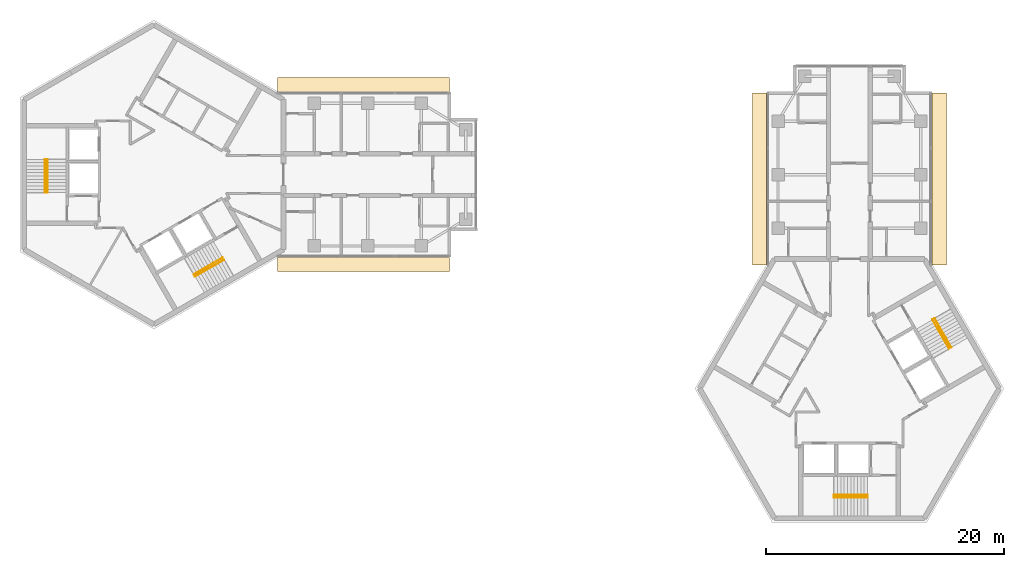
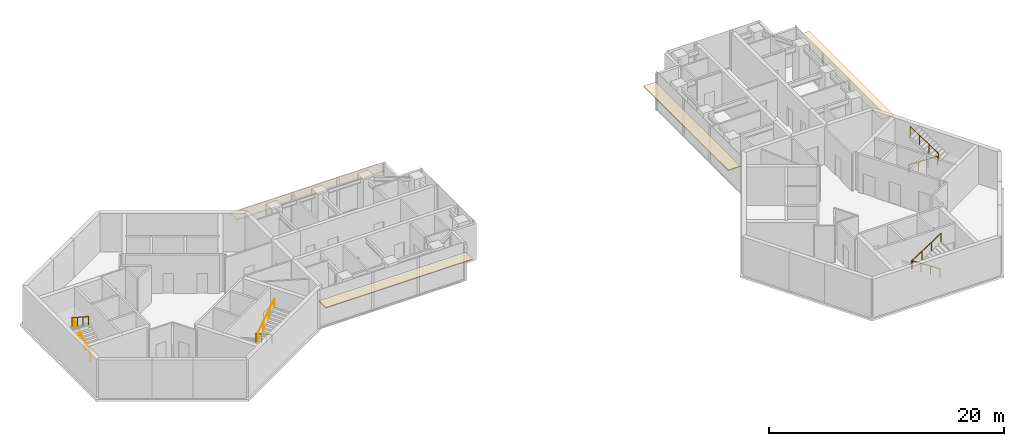
# One storey, part 11 of 11: 8 railings, 4 coverings.
"""IFC4 building model written with IfcOpenShell, lengths in metres."""

from ifc_helpers import new_model, si_unit, direction, frame, origin, origin_2d, place, context, subcontext, project, spatial, rectangle, circle, extrude, material, layer, layer_set, type_object, element, save


model = new_model("IFC4")

# Units and contexts
model_context = context("Model", 3, precision=1e-05, world=origin(), true_north=direction((0.0, 1.0)))
body_context = subcontext(model_context, "Body", "Model", "MODEL_VIEW")
ifc_project = project(units=[si_unit("LENGTHUNIT", "METRE"), si_unit("AREAUNIT", "SQUARE_METRE"), si_unit("VOLUMEUNIT", "CUBIC_METRE"), si_unit("PLANEANGLEUNIT", "RADIAN"), si_unit("MASSUNIT", "GRAM", prefix="KILO")], contexts=[model_context])

# Site, building, storey
site_placement = place(None, origin())
site = spatial("IfcSite", under=ifc_project, at=site_placement, CompositionType="ELEMENT")
building_placement = place(site_placement, origin())
building = spatial("IfcBuilding", under=site, at=building_placement, Name="Upepo Twin Towers", CompositionType="ELEMENT")
storey_placement = place(building_placement, frame((0.0, 0.0, 255.5)))
storey = spatial("IfcBuildingStorey", under=building, at=storey_placement, Name="L62", CompositionType="ELEMENT", Elevation=255.5)

# Coverings
ifc_material_1 = material(Name="Anodised aluminium, pale silver", Category="aluminium")
ifc_layer = layer(ifc_material_1, 0.080078125)
ifc_layer_set = layer_set([ifc_layer], Name="Brise-soleil blade 1200 pale aluminium")
covering_type = type_object("IfcCoveringType", Name="Brise-soleil blade 1200 pale aluminium", PredefinedType="USERDEFINED", material=ifc_layer_set)
for number, where, z_axis, x_axis, name in (
    (1, (17.61865234375, 7.56494140625, 2.909912109375), (0.0, 0.0, 1.0), (1.0, 0.0, 0.0), "T1 L62 wing A brise-soleil L"),
    (2, (17.61865234375, -7.56494140625, 2.909912109375), (0.0, 0.0, 1.0), (1.0, 0.0, 0.0), "T1 L62 wing A brise-soleil R"),
    (3, (50.93505859375, -0.38134765625, 2.909912109375), (0.0, 0.0, 1.0), (0.0, 1.0, 0.0), "T2 L62 wing A brise-soleil L"),
    (4, (66.06494140625, -0.38134765625, 2.909912109375), (0.0, 0.0, 1.0), (0.0, 1.0, 0.0), "T2 L62 wing A brise-soleil R"),
):
    element("IfcCovering", number, at=place(storey_placement, frame(where, z_axis=z_axis, x_axis=x_axis)), inside=storey, type_object=covering_type, Name=name, ObjectType="SUNSHADE", PredefinedType="USERDEFINED", context=body_context, shape_type="SweptSolid", body=[
        extrude(rectangle(XDim=14.462890625, YDim=1.199951171875, at=origin_2d()), origin(), (0.0, 0.0, 1.0), 0.080078125),
    ])

# Railings
ifc_material_2 = material(Name="Stainless steel", Category="steel")
railing_type = type_object("IfcRailingType", Name="Stair handrail 900", PredefinedType="HANDRAIL", material=ifc_material_2)
railing_1_placement = place(storey_placement, frame((-8.949951171875, -1.52001953125, 0.181884765625)))
element("IfcRailing", 5, at=railing_1_placement, inside=storey, type_object=railing_type, Name="T1 stair S1 L62 handrail 1", PredefinedType="HANDRAIL", context=body_context, shape_type="SweptSolid", body=[
    extrude(circle(Radius=0.02392578125, at=origin_2d()), frame((0.0, 0.0, 0.8759765625), z_axis=(0.0, 0.838705829183, 0.544584733623), x_axis=(-1.0, 0.0, 0.0)), (0.0, 0.0, 1.0), 3.338623046875),
    extrude(circle(Radius=0.02099609375, at=origin_2d()), origin(), (0.0, 0.0, 1.0), 0.851806640625),
    extrude(circle(Radius=0.02099609375, at=origin_2d()), frame((0.0, 0.933349609375, 0.60595703125)), (0.0, 0.0, 1.0), 0.851806640625),
    extrude(circle(Radius=0.02099609375, at=origin_2d()), frame((0.0, 1.86669921875, 1.212158203125)), (0.0, 0.0, 1.0), 0.851806640625),
    extrude(circle(Radius=0.02099609375, at=origin_2d()), frame((0.0, 2.800048828125, 1.818115234375)), (0.0, 0.0, 1.0), 0.851806640625),
])
railing_2_placement = place(storey_placement, frame((-9.158447265625, 1.280029296875, 2.181884765625)))
element("IfcRailing", 6, at=railing_2_placement, inside=storey, type_object=railing_type, Name="T1 stair S1 L62 handrail 2", PredefinedType="HANDRAIL", context=body_context, shape_type="SweptSolid", body=[
    extrude(circle(Radius=0.02392578125, at=origin_2d()), frame((0.0, 0.0, 0.8759765625), z_axis=(0.0, -0.838705829183, 0.544584733623), x_axis=(1.0, 0.0, 0.0)), (0.0, 0.0, 1.0), 3.338623046875),
    extrude(circle(Radius=0.02099609375, at=origin_2d()), origin(), (0.0, 0.0, 1.0), 0.851806640625),
    extrude(circle(Radius=0.02099609375, at=origin_2d()), frame((0.0, -0.933349609375, 0.60595703125)), (0.0, 0.0, 1.0), 0.851806640625),
    extrude(circle(Radius=0.02099609375, at=origin_2d()), frame((0.0, -1.86669921875, 1.212158203125)), (0.0, 0.0, 1.0), 0.851806640625),
    extrude(circle(Radius=0.02099609375, at=origin_2d()), frame((0.0, -2.800048828125, 1.818115234375)), (0.0, 0.0, 1.0), 0.851806640625),
])
railing_3_placement = place(storey_placement, frame((5.791259765625, -6.990966796875, 0.181884765625)))
element("IfcRailing", 7, at=railing_3_placement, inside=storey, type_object=railing_type, Name="T1 stair S2 L62 handrail 1", PredefinedType="HANDRAIL", context=body_context, shape_type="SweptSolid", body=[
    extrude(circle(Radius=0.02392578125, at=origin_2d()), frame((0.0, 0.0, 0.8759765625), z_axis=(-0.726336304947, -0.419332699614, 0.544605966869), x_axis=(0.49998411664, -0.866034573852, 0.0)), (0.0, 0.0, 1.0), 3.33837890625),
    extrude(circle(Radius=0.02099609375, at=origin_2d()), origin(), (0.0, 0.0, 1.0), 0.851806640625),
    extrude(circle(Radius=0.02099609375, at=origin_2d()), frame((-0.808349609375, -0.466552734375, 0.60595703125)), (0.0, 0.0, 1.0), 0.851806640625),
    extrude(circle(Radius=0.02099609375, at=origin_2d()), frame((-1.616455078125, -0.933349609375, 1.212158203125)), (0.0, 0.0, 1.0), 0.851806640625),
    extrude(circle(Radius=0.02099609375, at=origin_2d()), frame((-2.4248046875, -1.39990234375, 1.818115234375)), (0.0, 0.0, 1.0), 0.851806640625),
])
railing_4_placement = place(storey_placement, frame((3.470703125, -8.5712890625, 2.181884765625)))
element("IfcRailing", 8, at=railing_4_placement, inside=storey, type_object=railing_type, Name="T1 stair S2 L62 handrail 2", PredefinedType="HANDRAIL", context=body_context, shape_type="SweptSolid", body=[
    extrude(circle(Radius=0.02392578125, at=origin_2d()), frame((0.0, 0.0, 0.8759765625), z_axis=(0.726336304947, 0.419332699614, 0.544605966869), x_axis=(-0.49998411664, 0.866034573852, 0.0)), (0.0, 0.0, 1.0), 3.33837890625),
    extrude(circle(Radius=0.02099609375, at=origin_2d()), origin(), (0.0, 0.0, 1.0), 0.851806640625),
    extrude(circle(Radius=0.02099609375, at=origin_2d()), frame((0.808349609375, 0.466552734375, 0.60595703125)), (0.0, 0.0, 1.0), 0.851806640625),
    extrude(circle(Radius=0.02099609375, at=origin_2d()), frame((1.616455078125, 0.933349609375, 1.212158203125)), (0.0, 0.0, 1.0), 0.851806640625),
    extrude(circle(Radius=0.02099609375, at=origin_2d()), frame((2.4248046875, 1.39990234375, 1.818115234375)), (0.0, 0.0, 1.0), 0.851806640625),
])
railing_5_placement = place(storey_placement, frame((60.02001953125, -26.949951171875, 0.181884765625)))
element("IfcRailing", 9, at=railing_5_placement, inside=storey, type_object=railing_type, Name="T2 stair S1 L62 handrail 1", PredefinedType="HANDRAIL", context=body_context, shape_type="SweptSolid", body=[
    extrude(circle(Radius=0.02392578125, at=origin_2d()), frame((0.0, 0.0, 0.8759765625), z_axis=(-0.838705829183, 0.0, 0.544584733623), x_axis=(0.0, -1.0, 0.0)), (0.0, 0.0, 1.0), 3.338623046875),
    extrude(circle(Radius=0.02099609375, at=origin_2d()), origin(), (0.0, 0.0, 1.0), 0.851806640625),
    extrude(circle(Radius=0.02099609375, at=origin_2d()), frame((-0.933349609375, 0.0, 0.60595703125)), (0.0, 0.0, 1.0), 0.851806640625),
    extrude(circle(Radius=0.02099609375, at=origin_2d()), frame((-1.86669921875, 0.0, 1.212158203125)), (0.0, 0.0, 1.0), 0.851806640625),
    extrude(circle(Radius=0.02099609375, at=origin_2d()), frame((-2.800048828125, 0.0, 1.818115234375)), (0.0, 0.0, 1.0), 0.851806640625),
])
railing_6_placement = place(storey_placement, frame((57.219970703125, -27.158447265625, 2.181884765625)))
element("IfcRailing", 10, at=railing_6_placement, inside=storey, type_object=railing_type, Name="T2 stair S1 L62 handrail 2", PredefinedType="HANDRAIL", context=body_context, shape_type="SweptSolid", body=[
    extrude(circle(Radius=0.02392578125, at=origin_2d()), frame((0.0, 0.0, 0.8759765625), z_axis=(0.838705829183, 0.0, 0.544584733623), x_axis=(0.0, 1.0, 0.0)), (0.0, 0.0, 1.0), 3.338623046875),
    extrude(circle(Radius=0.02099609375, at=origin_2d()), origin(), (0.0, 0.0, 1.0), 0.851806640625),
    extrude(circle(Radius=0.02099609375, at=origin_2d()), frame((0.933349609375, 0.0, 0.60595703125)), (0.0, 0.0, 1.0), 0.851806640625),
    extrude(circle(Radius=0.02099609375, at=origin_2d()), frame((1.86669921875, 0.0, 1.212158203125)), (0.0, 0.0, 1.0), 0.851806640625),
    extrude(circle(Radius=0.02099609375, at=origin_2d()), frame((2.800048828125, 0.0, 1.818115234375)), (0.0, 0.0, 1.0), 0.851806640625),
])
railing_7_placement = place(storey_placement, frame((65.490966796875, -12.208740234375, 0.181884765625)))
element("IfcRailing", 11, at=railing_7_placement, inside=storey, type_object=railing_type, Name="T2 stair S2 L62 handrail 1", PredefinedType="HANDRAIL", context=body_context, shape_type="SweptSolid", body=[
    extrude(circle(Radius=0.02392578125, at=origin_2d()), frame((0.0, 0.0, 0.8759765625), z_axis=(0.419332699614, -0.726336304947, 0.544605966869), x_axis=(0.866034573852, 0.49998411664, 0.0)), (0.0, 0.0, 1.0), 3.33837890625),
    extrude(circle(Radius=0.02099609375, at=origin_2d()), origin(), (0.0, 0.0, 1.0), 0.851806640625),
    extrude(circle(Radius=0.02099609375, at=origin_2d()), frame((0.466552734375, -0.808349609375, 0.60595703125)), (0.0, 0.0, 1.0), 0.851806640625),
    extrude(circle(Radius=0.02099609375, at=origin_2d()), frame((0.933349609375, -1.616455078125, 1.212158203125)), (0.0, 0.0, 1.0), 0.851806640625),
    extrude(circle(Radius=0.02099609375, at=origin_2d()), frame((1.39990234375, -2.4248046875, 1.818115234375)), (0.0, 0.0, 1.0), 0.851806640625),
])
railing_8_placement = place(storey_placement, frame((67.0712890625, -14.529296875, 2.181884765625)))
element("IfcRailing", 12, at=railing_8_placement, inside=storey, type_object=railing_type, Name="T2 stair S2 L62 handrail 2", PredefinedType="HANDRAIL", context=body_context, shape_type="SweptSolid", body=[
    extrude(circle(Radius=0.02392578125, at=origin_2d()), frame((0.0, 0.0, 0.8759765625), z_axis=(-0.419332699614, 0.726336304947, 0.544605966869), x_axis=(-0.866034573852, -0.49998411664, 0.0)), (0.0, 0.0, 1.0), 3.33837890625),
    extrude(circle(Radius=0.02099609375, at=origin_2d()), origin(), (0.0, 0.0, 1.0), 0.851806640625),
    extrude(circle(Radius=0.02099609375, at=origin_2d()), frame((-0.466552734375, 0.808349609375, 0.60595703125)), (0.0, 0.0, 1.0), 0.851806640625),
    extrude(circle(Radius=0.02099609375, at=origin_2d()), frame((-0.933349609375, 1.616455078125, 1.212158203125)), (0.0, 0.0, 1.0), 0.851806640625),
    extrude(circle(Radius=0.02099609375, at=origin_2d()), frame((-1.39990234375, 2.4248046875, 1.818115234375)), (0.0, 0.0, 1.0), 0.851806640625),
])

save(model, "model.ifc")
